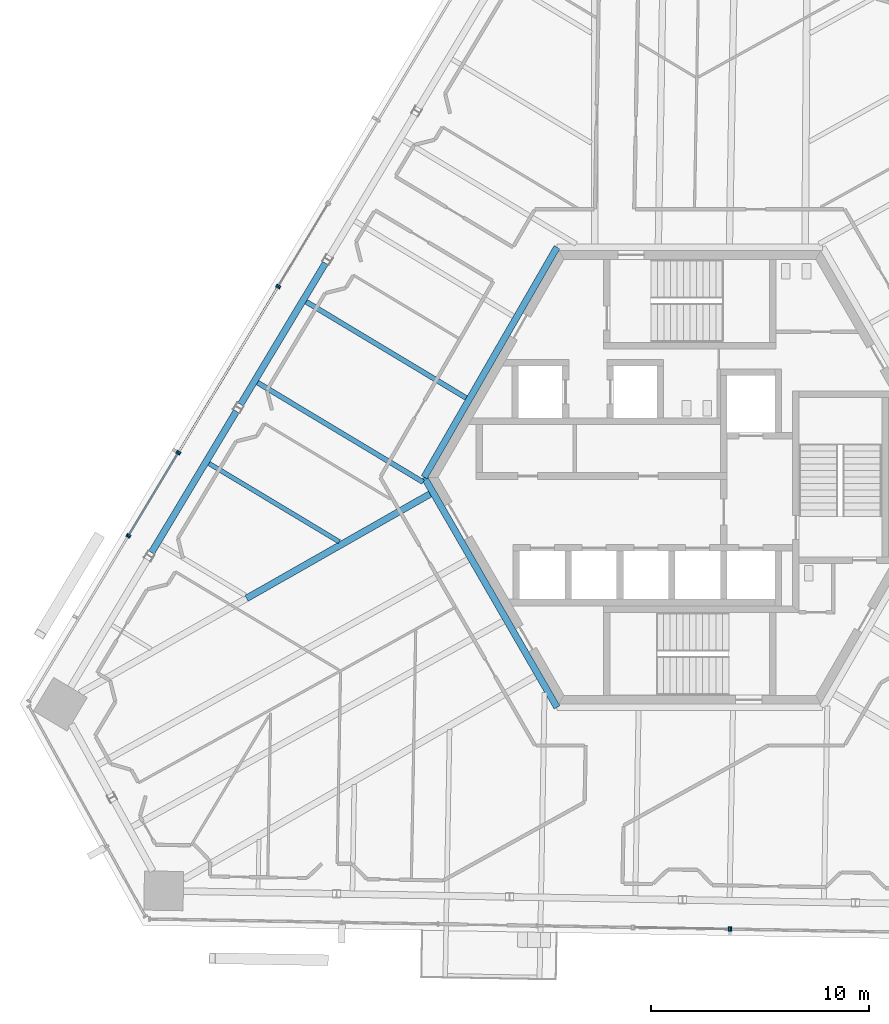
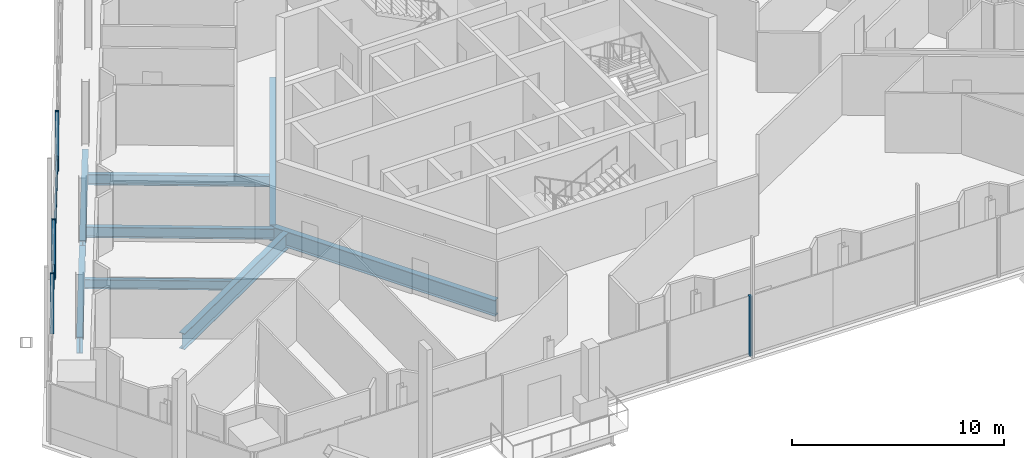
# One storey, part 5 of 22: 10 members, 8 beams, 6 elements without a shape of their own.
"""IFC4 building model written with IfcOpenShell, lengths in metres."""

import ifcopenshell
import ifcopenshell.guid

model = None  # the IFC model being written
_history = None  # IfcOwnerHistory: only IFC2X3 demands one
_inside = {}  # id of a spatial element -> (the spatial element, [elements in it])
_under = {}  # id of a project, library or spatial element -> (it, [spatial elements below it])
_declared = {}  # id of a project -> (the project, [libraries it declares])
_typed = {}  # id of a type object -> (the type object, [elements of that type])
_made_of = {}  # id of a material, layer set ... -> (it, [elements and type objects made of it])


def new_model(schema):
    """Start an empty IFC model of exactly this schema.

    Asked for "IFC4X3", IfcOpenShell would pick the latest addendum, in which some entities
    have other attributes; the version numbers below select the first issue.
    IFC2X3 requires an IfcOwnerHistory on every rooted entity: one is made here for all.
    """
    global model, _history
    if schema == "IFC4X3":
        model = ifcopenshell.file(schema_version=(4, 3, 0, 0))
    else:
        model = ifcopenshell.file(schema=schema)
    _inside.clear()
    _under.clear()
    _declared.clear()
    _typed.clear()
    _made_of.clear()
    _history = None
    if model.schema == "IFC2X3":
        org = make("IfcOrganization", Name="unknown")
        user = make(
            "IfcPersonAndOrganization",
            ThePerson=make("IfcPerson", FamilyName="unknown"),
            TheOrganization=org,
        )
        app = make(
            "IfcApplication",
            ApplicationDeveloper=org,
            Version="unknown",
            ApplicationFullName="unknown",
            ApplicationIdentifier="unknown",
        )
        _history = make(
            "IfcOwnerHistory",
            OwningUser=user,
            OwningApplication=app,
            ChangeAction="ADDED",
            CreationDate=0,
        )
    return model


def make(cls, **values):
    """One entity of the class cls with the attributes given. An attribute that is None is left unset."""
    return model.create_entity(
        cls, **{name: value for name, value in values.items() if value is not None}
    )


def rooted(cls, **values):
    """An entity with a GlobalId (a new one), such as an element, a storey or a relation."""
    return make(cls, GlobalId=ifcopenshell.guid.new(), OwnerHistory=_history, **values)


def si_unit(unit_type, name, prefix=None):
    """IfcSIUnit, for example si_unit("LENGTHUNIT", "METRE", prefix="MILLI")."""
    return make("IfcSIUnit", UnitType=unit_type, Prefix=prefix, Name=name)


def assignment(units):
    """IfcUnitAssignment: the units of a project."""
    return None if units is None else make("IfcUnitAssignment", Units=units)


def point(xyz):
    """IfcCartesianPoint."""
    return None if xyz is None else make("IfcCartesianPoint", Coordinates=xyz)


def direction(xyz):
    """IfcDirection."""
    return None if xyz is None else make("IfcDirection", DirectionRatios=xyz)


def frame(location, z_axis=None, x_axis=None):
    """IfcAxis2Placement3D, a coordinate frame: its origin and axes. An axis left out is left unset."""
    return make(
        "IfcAxis2Placement3D",
        Location=point(location),
        Axis=direction(z_axis),
        RefDirection=direction(x_axis),
    )


def frame_2d(location, x_axis=None):
    """IfcAxis2Placement2D, a coordinate frame in the plane: its origin and x axis."""
    return make(
        "IfcAxis2Placement2D", Location=point(location), RefDirection=direction(x_axis)
    )


def origin():
    """The frame at (0, 0, 0) with its axes left unset."""
    return frame((0.0, 0.0, 0.0))


def origin_2d():
    """The frame at (0, 0) in the plane with its x axis left unset."""
    return frame_2d((0.0, 0.0))


def place(relative_to, where):
    """IfcLocalPlacement: puts the frame where relative to a parent placement (None: the world)."""
    return make(
        "IfcLocalPlacement", PlacementRelTo=relative_to, RelativePlacement=where
    )


def context(
    kind, dimensions, precision=None, world=None, true_north=None, identifier=None
):
    """IfcGeometricRepresentationContext, for example the 3D "Model" context."""
    return make(
        "IfcGeometricRepresentationContext",
        ContextIdentifier=identifier,
        ContextType=kind,
        CoordinateSpaceDimension=dimensions,
        Precision=precision,
        WorldCoordinateSystem=world,
        TrueNorth=true_north,
    )


def subcontext(parent, identifier, kind, view, scale=None):
    """IfcGeometricRepresentationSubContext, for example "Body" below "Model"."""
    return make(
        "IfcGeometricRepresentationSubContext",
        ContextIdentifier=identifier,
        ContextType=kind,
        ParentContext=parent,
        TargetScale=scale,
        TargetView=view,
    )


def project(units=None, contexts=None):
    """IfcProject with its units and contexts."""
    return rooted(
        "IfcProject",
        Name="project",
        RepresentationContexts=contexts,
        UnitsInContext=assignment(units),
    )


def spatial(cls, under=None, at=None, **own):
    """A site, building, storey or space (cls), placed at a placement, below another one or the project."""
    s = rooted(cls, ObjectPlacement=at, **own)
    if under is not None:
        _under.setdefault(under.id(), (under, []))[1].append(s)
    return s


def profile(cls, at=None, kind="AREA", **sizes):
    """A parametric profile (cls). Its sizes go by their IFC names, for example OverallWidth=200.0."""
    return make(cls, ProfileType=kind, Position=at, **sizes)


def rectangle(**sizes):
    """IfcRectangleProfileDef."""
    return profile("IfcRectangleProfileDef", **sizes)


def i_section(**sizes):
    """IfcIShapeProfileDef."""
    return profile("IfcIShapeProfileDef", **sizes)


def extrude(swept, where, along, depth):
    """IfcExtrudedAreaSolid: the profile swept, set in the frame where, extruded along a direction by depth."""
    return make(
        "IfcExtrudedAreaSolid",
        SweptArea=swept,
        Position=where,
        ExtrudedDirection=direction(along),
        Depth=depth,
    )


def shape(context_of_items, identifier, shape_type, items):
    """IfcShapeRepresentation: the items that make up one representation, for example the "Body"."""
    return make(
        "IfcShapeRepresentation",
        ContextOfItems=context_of_items,
        RepresentationIdentifier=identifier,
        RepresentationType=shape_type,
        Items=items,
    )


def source(mapping_origin, context_of_items, identifier, shape_type, items):
    """IfcRepresentationMap: a shape defined once, which mapped items show again and again."""
    return make(
        "IfcRepresentationMap",
        MappingOrigin=mapping_origin,
        MappedRepresentation=shape(context_of_items, identifier, shape_type, items),
    )


def transform(
    local_origin,
    x_axis=None,
    y_axis=None,
    z_axis=None,
    scale=None,
    scale2=None,
    scale3=None,
    uniform=True,
):
    """IfcCartesianTransformationOperator3D, or its non-uniform kind. x_axis, y_axis, z_axis: its Axis1, 2, 3."""
    if uniform:
        return make(
            "IfcCartesianTransformationOperator3D",
            Axis1=direction(x_axis),
            Axis2=direction(y_axis),
            LocalOrigin=point(local_origin),
            Scale=scale,
            Axis3=direction(z_axis),
        )
    return make(
        "IfcCartesianTransformationOperator3DnonUniform",
        Axis1=direction(x_axis),
        Axis2=direction(y_axis),
        LocalOrigin=point(local_origin),
        Scale=scale,
        Axis3=direction(z_axis),
        Scale2=scale2,
        Scale3=scale3,
    )


def mapped(mapping_source, mapping_target):
    """IfcMappedItem: shows the shape of a source again, moved by a transform."""
    return make(
        "IfcMappedItem", MappingSource=mapping_source, MappingTarget=mapping_target
    )


def material(Name=None, Category=None):
    """IfcMaterial."""
    return make("IfcMaterial", Name=Name, Category=Category)


def material_profile(
    of_material, cross_section, Name=None, Category=None, Priority=None
):
    """IfcMaterialProfile: a cross section and its material."""
    return make(
        "IfcMaterialProfile",
        Name=Name,
        Material=of_material,
        Profile=cross_section,
        Priority=Priority,
        Category=Category,
    )


def profile_set(profiles, Name=None, composite=None):
    """IfcMaterialProfileSet."""
    return make(
        "IfcMaterialProfileSet",
        Name=Name,
        MaterialProfiles=profiles,
        CompositeProfile=composite,
    )


def made_of(thing, what):
    """Note that an element or type object is made of a material, layer set ...; save() writes the relation."""
    if what is not None:
        _made_of.setdefault(what.id(), (what, []))[1].append(thing)
    return thing


def type_object(cls, material=None, **own):
    """A type object (cls), such as IfcWallType, which elements share."""
    return made_of(rooted(cls, **own), material)


def element(
    cls,
    number,
    at=None,
    inside=None,
    cuts=None,
    type_object=None,
    material=None,
    context=None,
    identifier="Body",
    shape_type=None,
    held_by="IfcProductDefinitionShape",
    body=None,
    shapes=None,
    **own,
):
    """One element of the class cls, such as IfcWall. Its Tag is "e" and its number.

    at: its placement. inside: the storey or other place that contains it. cuts: it is an
    opening in that element (IfcRelVoidsElement). A single representation is given by context,
    identifier, shape_type and body (its items); several are given by shapes. held_by: the class
    of the entity that holds the representations. save() writes the other relations.
    """
    e = rooted(cls, Tag="e%d" % number, ObjectPlacement=at, **own)
    if body is not None:
        shapes = [shape(context, identifier, shape_type, body)]
    if shapes is not None:
        e.Representation = make(held_by, Representations=shapes)
    if inside is not None:
        _inside.setdefault(inside.id(), (inside, []))[1].append(e)
    if cuts is not None:
        rooted(
            "IfcRelVoidsElement", RelatingBuildingElement=cuts, RelatedOpeningElement=e
        )
    if type_object is not None:
        _typed.setdefault(type_object.id(), (type_object, []))[1].append(e)
    return made_of(e, material)


def aggregate(whole, parts):
    """IfcRelAggregates: a whole, such as a stair, and the parts it consists of."""
    return rooted("IfcRelAggregates", RelatingObject=whole, RelatedObjects=parts)


def save(model, path):
    """Write the relations noted so far, then the file.

    IfcRelAggregates (storeys below a building ...), IfcRelContainedInSpatialStructure (elements
    in a storey), IfcRelDefinesByType, IfcRelAssociatesMaterial and IfcRelDeclares: one each for
    every whole, place, type object, material and project.
    """
    for whole, parts in _under.values():
        aggregate(whole, parts)
    for where, things in _inside.values():
        rooted(
            "IfcRelContainedInSpatialStructure",
            RelatedElements=things,
            RelatingStructure=where,
        )
    for kind, things in _typed.values():
        rooted("IfcRelDefinesByType", RelatedObjects=things, RelatingType=kind)
    for what, things in _made_of.values():
        rooted("IfcRelAssociatesMaterial", RelatedObjects=things, RelatingMaterial=what)
    for by, libraries in _declared.values():
        rooted("IfcRelDeclares", RelatingContext=by, RelatedDefinitions=libraries)
    model.write(path)


model = new_model("IFC4")

# Units and contexts
model_context = context("Model", 3, precision=1e-05, world=origin(), true_north=direction((0.0, 1.0)))
body_context = subcontext(model_context, "Body", "Model", "MODEL_VIEW")
ifc_project = project(units=[si_unit("LENGTHUNIT", "METRE"), si_unit("AREAUNIT", "SQUARE_METRE"), si_unit("VOLUMEUNIT", "CUBIC_METRE"), si_unit("PLANEANGLEUNIT", "RADIAN"), si_unit("MASSUNIT", "GRAM", prefix="KILO")], contexts=[model_context])

# Site, building, storey
site_placement = place(None, origin())
site = spatial("IfcSite", under=ifc_project, at=site_placement, CompositionType="ELEMENT")
building_placement = place(site_placement, origin())
building = spatial("IfcBuilding", under=site, at=building_placement, Name="Triune Harvest Tower", CompositionType="ELEMENT")
storey_placement = place(building_placement, frame((0.0, 0.0, 208.699951171875)))
storey = spatial("IfcBuildingStorey", under=building, at=storey_placement, Name="L54", CompositionType="ELEMENT", Elevation=208.699951171875)

# Beams
ifc_material_1 = material(Name="Steel ASTM A992 Gr 50", Category="steel")
ifc_material_profile_1 = material_profile(ifc_material_1, i_section(OverallWidth=0.3046875, OverallDepth=0.914306640625, WebThickness=0.0166015625, FlangeThickness=0.02587890625, at=origin_2d()), Name="W36x160")
ifc_profile_set_1 = profile_set([ifc_material_profile_1], Name="Steel ASTM A992 Gr 50")
beam_type_1 = type_object("IfcBeamType", Name="CG-1 Core ring girder W36x160", PredefinedType="BEAM", material=ifc_profile_set_1)
shared_shape_1 = source(origin(), body_context, "Body", "SweptSolid", [
    extrude(i_section(OverallWidth=0.3046875, OverallDepth=0.914306640625, WebThickness=0.0166015625, FlangeThickness=0.02587890625, at=origin_2d()), origin(), (0.0, 0.0, 1.0), 12.176025390625),
])
for number, where, z_axis, x_axis, name in (
    (1, (-6.087890625, 10.544677734375, -0.6171875), (-0.5000099932, -0.866019634131, 0.0), (0.866019634131, -0.5000099932, 0.0), "beam/L54/CG3"),
    (2, (-12.176025390625, 0.0, -0.6171875), (0.5000099932, -0.866019634131, 0.0), (0.866019634131, 0.5000099932, 0.0), "beam/L54/CG4"),
):
    element("IfcBeam", number, at=place(storey_placement, frame(where, z_axis=z_axis, x_axis=x_axis)), inside=storey, type_object=beam_type_1, Name=name, PredefinedType="BEAM", context=body_context, shape_type="MappedRepresentation", body=[
        mapped(shared_shape_1, transform((0.0, 0.0, 0.0), scale=1.0)),
    ])
ifc_material_2 = material(Name="Steel ASTM A992 Gr 50", Category="steel")
ifc_material_profile_2 = material_profile(ifc_material_2, i_section(OverallWidth=0.307373046875, OverallDepth=0.922119140625, WebThickness=0.018310546875, FlangeThickness=0.030029296875, at=origin_2d()), Name="W36x182")
ifc_profile_set_2 = profile_set([ifc_material_profile_2], Name="Steel ASTM A992 Gr 50")
beam_type_2 = type_object("IfcBeamType", Name="HG-2 Hip girder W36x182", PredefinedType="BEAM", material=ifc_profile_set_2)
shared_shape_2 = source(origin(), body_context, "Body", "SweptSolid", [
    extrude(i_section(OverallWidth=0.307373046875, OverallDepth=0.922119140625, WebThickness=0.018310546875, FlangeThickness=0.030029296875, at=origin_2d()), origin(), (0.0, 0.0, 1.0), 9.672119140625),
])
beam_1_placement = place(storey_placement, frame((-20.31591796875, -5.549560546875, -0.620849609375), z_axis=(0.869255664029, 0.494362812673, 0.0), x_axis=(-0.494362812673, 0.869255664029, 0.0)))
element("IfcBeam", 3, at=beam_1_placement, inside=storey, type_object=beam_type_2, Name="beam/L54/HG6", PredefinedType="BEAM", context=body_context, shape_type="MappedRepresentation", body=[
    mapped(shared_shape_2, transform((0.0, 0.0, 0.0), scale=1.0)),
])
ifc_material_3 = material(Name="Steel ASTM A992 Gr 50", Category="steel")
ifc_material_profile_3 = material_profile(ifc_material_3, i_section(OverallWidth=0.3046875, OverallDepth=0.914306640625, WebThickness=0.0166015625, FlangeThickness=0.02587890625, at=origin_2d()), Name="W36x160")
ifc_profile_set_3 = profile_set([ifc_material_profile_3], Name="Steel ASTM A992 Gr 50")
beam_type_3 = type_object("IfcBeamType", Name="SB-1 Spandrel beam W36x160", PredefinedType="SPANDREL", material=ifc_profile_set_3)
shared_shape_3 = source(origin(), body_context, "Body", "SweptSolid", [
    extrude(i_section(OverallWidth=0.3046875, OverallDepth=0.914306640625, WebThickness=0.0166015625, FlangeThickness=0.02587890625, at=origin_2d()), origin(), (0.0, 0.0, 1.0), 7.556396484375),
])
for number, where, z_axis, x_axis, name in (
    (4, (-16.702880859375, 9.81982421875, -0.6171875), (-0.515065795781, -0.857150643712, 0.0), (0.857150643712, -0.515065795781, 0.0), "beam/L54/SB12"),
    (5, (-20.785888671875, 3.02490234375, -0.6171875), (-0.51504205773, -0.85716490757, 0.0), (0.85716490757, -0.51504205773, 0.0), "beam/L54/SB13"),
):
    element("IfcBeam", number, at=place(storey_placement, frame(where, z_axis=z_axis, x_axis=x_axis)), inside=storey, type_object=beam_type_3, Name=name, PredefinedType="SPANDREL", context=body_context, shape_type="MappedRepresentation", body=[
        mapped(shared_shape_3, transform((0.0, 0.0, 0.0), scale=1.0)),
    ])
ifc_material_4 = material(Name="Steel ASTM A992 Gr 50", Category="steel")
ifc_material_profile_4 = material_profile(ifc_material_4, i_section(OverallWidth=0.22900390625, OverallDepth=0.612060546875, WebThickness=0.011962890625, FlangeThickness=0.01953125, at=origin_2d()), Name="W24x84")
ifc_profile_set_4 = profile_set([ifc_material_profile_4], Name="Steel ASTM A992 Gr 50")
beam_type_4 = type_object("IfcBeamType", Name="JT-3 Floor joist W24x84", PredefinedType="JOIST", material=ifc_profile_set_4)
shared_shape_4 = source(origin(), body_context, "Body", "SweptSolid", [
    extrude(i_section(OverallWidth=0.22900390625, OverallDepth=0.612060546875, WebThickness=0.011962890625, FlangeThickness=0.01953125, at=origin_2d()), origin(), (0.0, 0.0, 1.0), 8.85888671875),
])
beam_2_placement = place(storey_placement, frame((-19.8173828125, 4.3408203125, -0.466064453125), z_axis=(0.857174209269, -0.515026576948, 0.0), x_axis=(0.515026576948, 0.857174209269, 0.0)))
element("IfcBeam", 6, at=beam_2_placement, inside=storey, type_object=beam_type_4, Name="beam/L54/JT19", PredefinedType="JOIST", context=body_context, shape_type="MappedRepresentation", body=[
    mapped(shared_shape_4, transform((0.0, 0.0, 0.0), scale=1.0)),
])
shared_shape_5 = source(origin(), body_context, "Body", "SweptSolid", [
    extrude(i_section(OverallWidth=0.22900390625, OverallDepth=0.612060546875, WebThickness=0.011962890625, FlangeThickness=0.01953125, at=origin_2d()), origin(), (0.0, 0.0, 1.0), 8.5615234375),
])
beam_3_placement = place(storey_placement, frame((-17.59033203125, 8.047119140625, -0.466064453125), z_axis=(0.857170691548, -0.515032431553, 0.0), x_axis=(0.515032431553, 0.857170691548, 0.0)))
element("IfcBeam", 7, at=beam_3_placement, inside=storey, type_object=beam_type_4, Name="beam/L54/JT18", PredefinedType="JOIST", context=body_context, shape_type="MappedRepresentation", body=[
    mapped(shared_shape_5, transform((0.0, 0.0, 0.0), scale=1.0)),
])
ifc_material_5 = material(Name="Steel ASTM A992 Gr 50", Category="steel")
ifc_material_profile_5 = material_profile(ifc_material_5, i_section(OverallWidth=0.2099609375, OverallDepth=0.535888671875, WebThickness=0.010986328125, FlangeThickness=0.017333984375, at=origin_2d()), Name="W21x68")
ifc_profile_set_5 = profile_set([ifc_material_profile_5], Name="Steel ASTM A992 Gr 50")
beam_type_5 = type_object("IfcBeamType", Name="JT-2 Floor joist W21x68", PredefinedType="JOIST", material=ifc_profile_set_5)
shared_shape_6 = source(origin(), body_context, "Body", "SweptSolid", [
    extrude(i_section(OverallWidth=0.2099609375, OverallDepth=0.535888671875, WebThickness=0.010986328125, FlangeThickness=0.017333984375, at=origin_2d()), origin(), (0.0, 0.0, 1.0), 6.972900390625),
])
beam_4_placement = place(storey_placement, frame((-22.04443359375, 0.634521484375, -0.427978515625), z_axis=(0.857162181364, -0.515046594823, 0.0), x_axis=(0.515046594823, 0.857162181364, 0.0)))
element("IfcBeam", 8, at=beam_4_placement, inside=storey, type_object=beam_type_5, Name="beam/L54/JT20", PredefinedType="JOIST", context=body_context, shape_type="MappedRepresentation", body=[
    mapped(shared_shape_6, transform((0.0, 0.0, 0.0), scale=1.0)),
])

# Curtain wall, member
ifc_material_6 = material(Name="Aluminium bronze anodised", Category="aluminium")
curtain_wall_type_1 = type_object("IfcCurtainWallType", Name="CW-1 Tower stick curtain wall", PredefinedType="NOTDEFINED", material=ifc_material_6)
curtain_wall_1_placement = place(storey_placement, origin())
curtain_wall_1 = element("IfcCurtainWall", 9, at=curtain_wall_1_placement, inside=storey, type_object=curtain_wall_type_1, Name="CW-1 B5-F3 L54 run 1001")
ifc_material_7 = material(Name="Aluminium bronze anodised", Category="aluminium")
ifc_material_profile_6 = material_profile(ifc_material_7, rectangle(XDim=0.199951171875, YDim=0.074951171875, at=origin_2d()), Name="MU-1 mullion 75 x 200")
ifc_profile_set_6 = profile_set([ifc_material_profile_6], Name="Aluminium bronze anodised")
member_type_1 = type_object("IfcMemberType", Name="MU-1 mullion 75 x 200", PredefinedType="MULLION", material=ifc_profile_set_6)
shared_shape_7 = source(origin(), body_context, "Body", "SweptSolid", [
    extrude(rectangle(XDim=0.199951171875, YDim=0.074951171875, at=origin_2d()), origin(), (0.0, 0.0, 1.0), 3.43994140625),
])
member_1_placement = place(storey_placement, frame((-18.848876953125, 8.77685546875, 0.0), z_axis=(0.0, 0.0, 1.0), x_axis=(0.857165167795, -0.515041624648, 0.0)))
member_1 = element("IfcMember", 10, at=member_1_placement, type_object=member_type_1, Name="CW-1 mullion B5-F3 1001.2", PredefinedType="MULLION", context=body_context, shape_type="MappedRepresentation", body=[
    mapped(shared_shape_7, transform((0.0, 0.0, 0.0), scale=1.0)),
])
aggregate(curtain_wall_1, [member_1])

# Curtain wall, members
ifc_material_8 = material(Name="Aluminium bronze anodised", Category="aluminium")
curtain_wall_type_2 = type_object("IfcCurtainWallType", Name="CW-7 Tower stick curtain wall with insulated spandrel infill", PredefinedType="NOTDEFINED", material=ifc_material_8)
curtain_wall_2_placement = place(storey_placement, origin())
curtain_wall_2 = element("IfcCurtainWall", 11, at=curtain_wall_2_placement, inside=storey, type_object=curtain_wall_type_2, Name="CW-7 B5-F3 L54 run 2001")
member_2_placement = place(storey_placement, frame((-18.887451171875, 8.712646484375, 0.0), z_axis=(0.0, 0.0, 1.0), x_axis=(0.857167150224, -0.515038325347, 0.0)))
member_2 = element("IfcMember", 12, at=member_2_placement, type_object=member_type_1, Name="CW-7 mullion B5-F3 2001.1", PredefinedType="MULLION", context=body_context, shape_type="MappedRepresentation", body=[
    mapped(shared_shape_7, transform((0.0, 0.0, 0.0), scale=1.0)),
])
member_3_placement = place(storey_placement, frame((-23.4267578125, 1.157958984375, 0.0), z_axis=(0.0, 0.0, 1.0), x_axis=(0.857167150224, -0.515038325347, 0.0)))
member_3 = element("IfcMember", 13, at=member_3_placement, type_object=member_type_1, Name="CW-7 mullion B5-F3 2001.3", PredefinedType="MULLION", context=body_context, shape_type="MappedRepresentation", body=[
    mapped(shared_shape_7, transform((0.0, 0.0, 0.0), scale=1.0)),
])

curtain_wall_3_placement = place(storey_placement, origin())
curtain_wall_3 = element("IfcCurtainWall", 14, at=curtain_wall_3_placement, inside=storey, type_object=curtain_wall_type_1, Name="CW-1 B5-F3 L54 run 3001")
member_4_placement = place(storey_placement, frame((-23.46533203125, 1.09375, 0.0), z_axis=(0.0, 0.0, 1.0), x_axis=(0.857175101273, -0.515025092358, 0.0)))
member_4 = element("IfcMember", 15, at=member_4_placement, type_object=member_type_1, Name="CW-1 mullion B5-F3 3001.1", PredefinedType="MULLION", context=body_context, shape_type="MappedRepresentation", body=[
    mapped(shared_shape_7, transform((0.0, 0.0, 0.0), scale=1.0)),
])
member_5_placement = place(storey_placement, frame((-25.715576171875, -2.651611328125, 0.0), z_axis=(0.0, 0.0, 1.0), x_axis=(0.857175101273, -0.515025092358, 0.0)))
member_5 = element("IfcMember", 16, at=member_5_placement, type_object=member_type_1, Name="CW-1 mullion B5-F3 3001.2", PredefinedType="MULLION", context=body_context, shape_type="MappedRepresentation", body=[
    mapped(shared_shape_7, transform((0.0, 0.0, 0.0), scale=1.0)),
])

# Curtain wall, member
curtain_wall_4_placement = place(storey_placement, origin())
curtain_wall_4 = element("IfcCurtainWall", 17, at=curtain_wall_4_placement, inside=storey, type_object=curtain_wall_type_2, Name="CW-7 B5-F3 L54 run 4001")
member_6_placement = place(storey_placement, frame((-25.75439453125, -2.7158203125, 0.0), z_axis=(0.0, 0.0, 1.0), x_axis=(0.857166467941, -0.515039460855, 0.0)))
member_6 = element("IfcMember", 18, at=member_6_placement, type_object=member_type_1, Name="CW-7 mullion B5-F3 4001.1", PredefinedType="MULLION", context=body_context, shape_type="MappedRepresentation", body=[
    mapped(shared_shape_7, transform((0.0, 0.0, 0.0), scale=1.0)),
])
aggregate(curtain_wall_4, [member_6])

ifc_material_9 = material(Name="Aluminium bronze anodised", Category="aluminium")
curtain_wall_type_3 = type_object("IfcCurtainWallType", Name="CW-6 Balcony window wall", PredefinedType="NOTDEFINED", material=ifc_material_9)
curtain_wall_5_placement = place(storey_placement, origin())
curtain_wall_5 = element("IfcCurtainWall", 19, at=curtain_wall_5_placement, inside=storey, type_object=curtain_wall_type_3, Name="CW-6 B5-F5 L54 run 1002")
ifc_material_10 = material(Name="Aluminium bronze anodised", Category="aluminium")
ifc_material_profile_7 = material_profile(ifc_material_10, rectangle(XDim=0.199951171875, YDim=0.074951171875, at=origin_2d()), Name="MU-6 mullion 75 x 200")
ifc_profile_set_7 = profile_set([ifc_material_profile_7], Name="Aluminium bronze anodised")
member_type_2 = type_object("IfcMemberType", Name="MU-6 mullion 75 x 200", PredefinedType="MULLION", material=ifc_profile_set_7)
shared_shape_8 = source(origin(), body_context, "Body", "SweptSolid", [
    extrude(rectangle(XDim=0.199951171875, YDim=0.074951171875, at=origin_2d()), origin(), (0.0, 0.0, 1.0), 3.43994140625),
])
member_7_placement = place(storey_placement, frame((1.805908203125, -20.711669921875, 0.0), z_axis=(0.0, 0.0, 1.0), x_axis=(0.017446917898, 0.999847790944, 0.0)))
member_7 = element("IfcMember", 20, at=member_7_placement, type_object=member_type_2, Name="CW-6 mullion B5-F5 1002.2", PredefinedType="MULLION", context=body_context, shape_type="MappedRepresentation", body=[
    mapped(shared_shape_8, transform((0.0, 0.0, 0.0), scale=1.0)),
])
aggregate(curtain_wall_5, [member_7])

ifc_material_11 = material(Name="Aluminium bronze anodised", Category="aluminium")
curtain_wall_type_4 = type_object("IfcCurtainWallType", Name="CW-10 Balcony window wall with insulated spandrel infill", PredefinedType="NOTDEFINED", material=ifc_material_11)
curtain_wall_6_placement = place(storey_placement, origin())
curtain_wall_6 = element("IfcCurtainWall", 21, at=curtain_wall_6_placement, inside=storey, type_object=curtain_wall_type_4, Name="CW-10 B5-F5 L54 run 2002")
member_8_placement = place(storey_placement, frame((1.880859375, -20.713134765625, 0.0), z_axis=(0.0, 0.0, 1.0), x_axis=(0.017458156037, 0.99984759478, 0.0)))
member_8 = element("IfcMember", 22, at=member_8_placement, type_object=member_type_2, Name="CW-10 mullion B5-F5 2002.1", PredefinedType="MULLION", context=body_context, shape_type="MappedRepresentation", body=[
    mapped(shared_shape_8, transform((0.0, 0.0, 0.0), scale=1.0)),
])
aggregate(curtain_wall_6, [member_8])

# Member
ifc_material_12 = material(Name="Aluminium bronze anodised", Category="aluminium")
ifc_material_profile_8 = material_profile(ifc_material_12, rectangle(XDim=0.090087890625, YDim=0.89990234375, at=origin_2d()), Name="TR-1 transom 90 x 900")
ifc_profile_set_8 = profile_set([ifc_material_profile_8], Name="Aluminium bronze anodised")
member_type_3 = type_object("IfcMemberType", Name="TR-1 transom 90 x 900", PredefinedType="USERDEFINED", material=ifc_profile_set_8)
shared_shape_9 = source(origin(), body_context, "Body", "SweptSolid", [
    extrude(rectangle(XDim=0.090087890625, YDim=0.89990234375, at=origin_2d()), origin(), (0.0, 0.0, 1.0), 4.294189453125),
])
member_9_placement = place(storey_placement, frame((-23.484619140625, 1.0615234375, 0.449951171875), z_axis=(-0.515030741708, -0.857171706892, 0.0), x_axis=(0.857171706892, -0.515030741708, 0.0)))
member_9 = element("IfcMember", 23, at=member_9_placement, type_object=member_type_3, Name="CW-1 transom B5-F3 3001.1", ObjectType="TRANSOM", PredefinedType="USERDEFINED", context=body_context, shape_type="MappedRepresentation", body=[
    mapped(shared_shape_9, transform((0.0, 0.0, 0.0), scale=1.0)),
])

aggregate(curtain_wall_3, [member_4, member_5, member_9])

shared_shape_10 = source(origin(), body_context, "Body", "SweptSolid", [
    extrude(rectangle(XDim=0.090087890625, YDim=0.89990234375, at=origin_2d()), origin(), (0.0, 0.0, 1.0), 8.738525390625),
])
member_10_placement = place(storey_placement, frame((-18.90673828125, 8.680419921875, 0.449951171875), z_axis=(-0.515050313568, -0.857159946855, 0.0), x_axis=(0.857159946855, -0.515050313568, 0.0)))
member_10 = element("IfcMember", 24, at=member_10_placement, type_object=member_type_3, Name="CW-7 transom B5-F3 2001.1", ObjectType="TRANSOM", PredefinedType="USERDEFINED", context=body_context, shape_type="MappedRepresentation", body=[
    mapped(shared_shape_10, transform((0.0, 0.0, 0.0), scale=1.0)),
])

aggregate(curtain_wall_2, [member_2, member_3, member_10])

save(model, "model.ifc")
